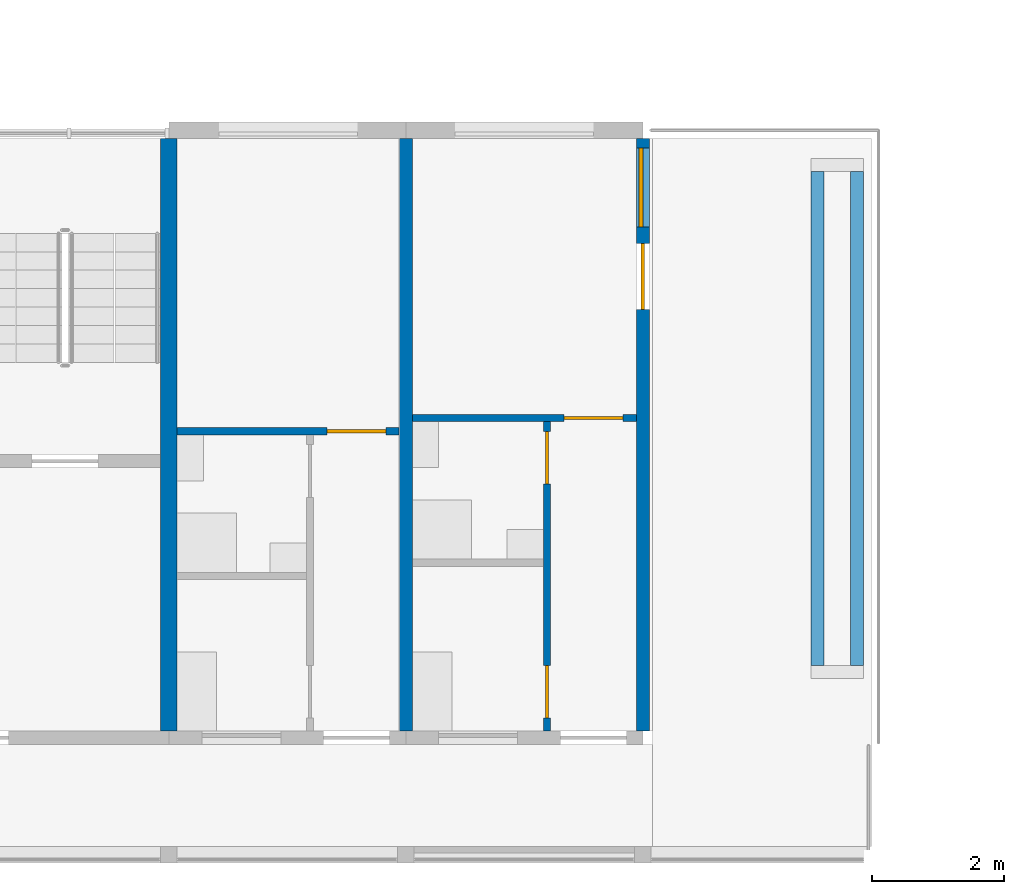
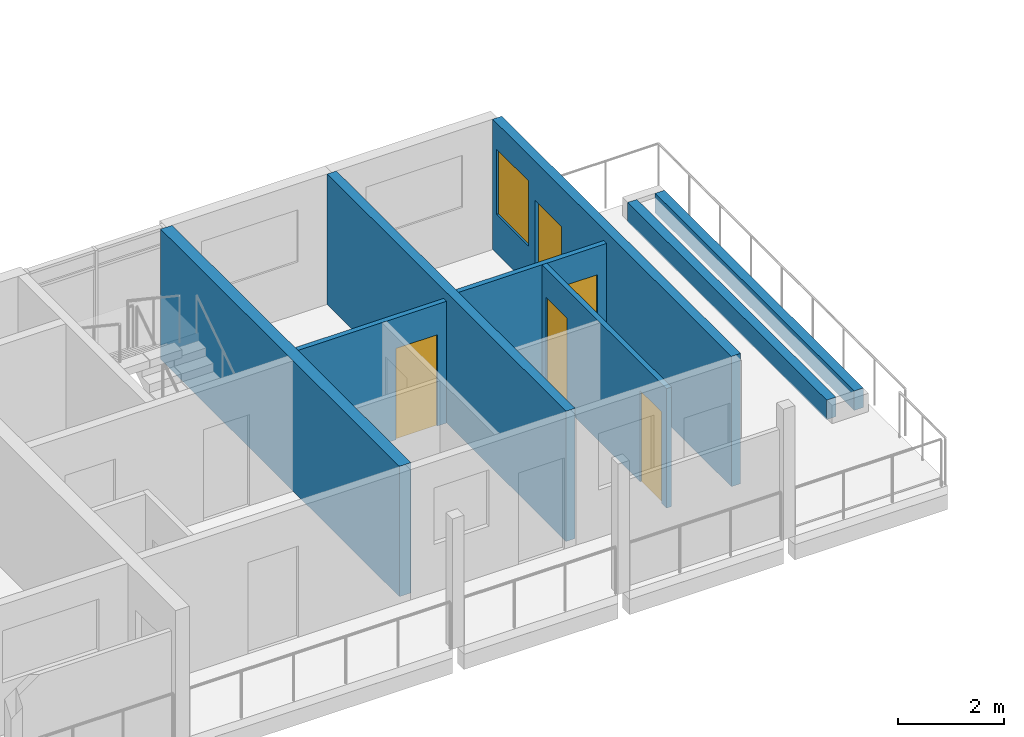
# One storey, part 42 of 93: 8 walls, 5 doors, 1 window, 6 openings.
"""IFC4 building model written with IfcOpenShell, lengths in metres."""

from ifc_helpers import new_model, si_unit, direction, frame, frame_2d, origin, place, context, subcontext, project, spatial, rectangle, extrude, material, layer, layer_set, type_object, element, fill, save


model = new_model("IFC4")

# Units and contexts
model_context = context("Model", 3, precision=1e-05, world=origin(), true_north=direction((0.0, 1.0)))
body_context = subcontext(model_context, "Body", "Model", "MODEL_VIEW")
ifc_project = project(units=[si_unit("LENGTHUNIT", "METRE"), si_unit("AREAUNIT", "SQUARE_METRE"), si_unit("VOLUMEUNIT", "CUBIC_METRE"), si_unit("PLANEANGLEUNIT", "RADIAN"), si_unit("MASSUNIT", "GRAM", prefix="KILO")], contexts=[model_context])

# Site, building, storey
site_placement = place(None, origin())
site = spatial("IfcSite", under=ifc_project, at=site_placement, CompositionType="ELEMENT")
building_placement = place(site_placement, origin())
building = spatial("IfcBuilding", under=site, at=building_placement, Name="Ridgestep Commons", CompositionType="ELEMENT")
storey_placement = place(building_placement, frame((0.0, 0.0, 18.0)))
storey = spatial("IfcBuildingStorey", under=building, at=storey_placement, Name="L06", CompositionType="ELEMENT", Elevation=18.0)

# Walls
ifc_material_1 = material(Name="Concrete C30/37", Category="concrete")
ifc_layer_1 = layer(ifc_material_1, 0.25)
ifc_layer_set_1 = layer_set([ifc_layer_1], Name="Core cross wall 250")
wall_type_1 = type_object("IfcWallType", Name="Core cross wall 250", PredefinedType="SHEAR", material=ifc_layer_set_1)
wall_1_placement = place(storey_placement, frame((102.0, 68.0, 0.0), z_axis=(0.0, 0.0, 1.0), x_axis=(0.0, 1.0, 0.0)))
element("IfcWall", 1, at=wall_1_placement, inside=storey, type_object=wall_type_1, Name="Cross wall B-06-1020", PredefinedType="SHEAR", context=body_context, shape_type="SweptSolid", body=[
    extrude(rectangle(XDim=9.0, YDim=0.25, at=frame_2d((4.5, 0.0))), origin(), (0.0, 0.0, 1.0), 3.0),
])
ifc_material_2 = material(Name="Precast concrete C40/50", Category="concrete")
ifc_layer_2 = layer(ifc_material_2, 0.199951171875)
ifc_layer_set_2 = layer_set([ifc_layer_2], Name="Cross wall 200")
wall_type_2 = type_object("IfcWallType", Name="Cross wall 200", PredefinedType="SHEAR", material=ifc_layer_set_2)
wall_2_placement = place(storey_placement, frame((105.60009765625, 68.0, 0.0), z_axis=(0.0, 0.0, 1.0), x_axis=(0.0, 1.0, 0.0)))
element("IfcWall", 2, at=wall_2_placement, inside=storey, type_object=wall_type_2, Name="Cross wall B-06-1056", PredefinedType="SHEAR", context=body_context, shape_type="SweptSolid", body=[
    extrude(rectangle(XDim=9.0, YDim=0.199951171875, at=frame_2d((4.5, 0.0))), origin(), (0.0, 0.0, 1.0), 3.0),
])

# Wall, openings, window, door
ifc_material_3 = material(Name="Precast concrete C40/50", Category="concrete")
ifc_layer_3 = layer(ifc_material_3, 0.199951171875)
ifc_layer_set_3 = layer_set([ifc_layer_3], Name="Exposed cross wall 200")
wall_type_3 = type_object("IfcWallType", Name="Exposed cross wall 200", PredefinedType="SHEAR", material=ifc_layer_set_3)
wall_3_placement = place(storey_placement, frame((109.199951171875, 68.0, 0.0), z_axis=(0.0, 0.0, 1.0), x_axis=(0.0, 1.0, 0.0)))
wall_3 = element("IfcWall", 3, at=wall_3_placement, inside=storey, type_object=wall_type_3, Name="Cross wall B-06-1092", PredefinedType="SHEAR", context=body_context, shape_type="SweptSolid", body=[
    extrude(rectangle(XDim=9.0, YDim=0.199951171875, at=frame_2d((4.5, 0.0))), origin(), (0.0, 0.0, 1.0), 3.0),
])
opening_1_placement = place(wall_3_placement, frame((7.652587890625, 0.0, 0.89990234375)))
opening_1 = element("IfcOpeningElement", 4, at=opening_1_placement, cuts=wall_3, Name="Opening W10", PredefinedType="OPENING", context=body_context, shape_type="SweptSolid", body=[
    extrude(rectangle(XDim=1.199951171875, YDim=1.5, at=frame_2d((0.60009765625, 0.75))), frame((0.0, 0.10986328125, 0.0), z_axis=(0.0, -1.0, 0.0), x_axis=(1.0, 0.0, 0.0)), (0.0, 0.0, 1.0), 0.219970703125),
])
opening_2_placement = place(wall_3_placement, frame((6.405029296875, 0.0, 0.0)))
opening_2 = element("IfcOpeningElement", 5, at=opening_2_placement, cuts=wall_3, Name="Opening B6-06a/5", PredefinedType="OPENING", context=body_context, shape_type="SweptSolid", body=[
    extrude(rectangle(XDim=1.0, YDim=2.10009765625, at=frame_2d((0.5, 1.050048828125))), frame((0.0, 0.10986328125, 0.0), z_axis=(0.0, -1.0, 0.0), x_axis=(1.0, 0.0, 0.0)), (0.0, 0.0, 1.0), 0.219970703125),
])
ifc_material_4 = material(Name="Aluminium 6063-T6 and glass", Category="aluminium")
window_type = type_object("IfcWindowType", Name="Flat window 1200 x 1500", PartitioningType="SINGLE_PANEL", PredefinedType="WINDOW", material=ifc_material_4)
window_placement = place(opening_1_placement, origin())
window = element("IfcWindow", 6, at=window_placement, inside=storey, type_object=window_type, Name="Window B6-06a 3", OverallHeight=1.5, OverallWidth=1.199951171875, PartitioningType="SINGLE_PANEL", PredefinedType="WINDOW", context=body_context, shape_type="SweptSolid", body=[
    extrude(rectangle(XDim=1.199951171875, YDim=1.5, at=frame_2d((0.60009765625, 0.75))), frame((0.0, 0.06005859375, 0.0), z_axis=(0.0, -1.0, 0.0), x_axis=(1.0, 0.0, 0.0)), (0.0, 0.0, 1.0), 0.06005859375),
])
fill(opening_1, window)
ifc_material_5 = material(Name="Aluminium and glass", Category="aluminium")
door_type_1 = type_object("IfcDoorType", Name="Terrace door 1000 x 2100", OperationType="NOTDEFINED", PredefinedType="DOOR", material=ifc_material_5)
door_1_placement = place(opening_2_placement, origin())
door_1 = element("IfcDoor", 7, at=door_1_placement, inside=storey, type_object=door_type_1, Name="Terrace door B6-06a/5", OperationType="SINGLE_SWING_LEFT", OverallHeight=2.10009765625, OverallWidth=1.0, PredefinedType="DOOR", context=body_context, shape_type="SweptSolid", body=[
    extrude(rectangle(XDim=1.0, YDim=2.10009765625, at=frame_2d((0.5, 1.050048828125))), frame((0.0, 0.02490234375, 0.0), z_axis=(0.0, -1.0, 0.0), x_axis=(1.0, 0.0, 0.0)), (0.0, 0.0, 1.0), 0.050048828125),
])
fill(opening_2, door_1)

# Wall, openings, doors
ifc_material_6 = material(Name="Common brick 110 mm", Category="masonry")
ifc_layer_4 = layer(ifc_material_6, 0.110107421875)
ifc_layer_set_4 = layer_set([ifc_layer_4], Name="Partition 110")
wall_type_4 = type_object("IfcWallType", Name="Partition 110", PredefinedType="PARTITIONING", material=ifc_layer_set_4)
wall_4_placement = place(storey_placement, frame((107.7451171875, 68.0, 0.0), z_axis=(0.0, 0.0, 1.0), x_axis=(0.0, 1.0, 0.0)))
wall_4 = element("IfcWall", 8, at=wall_4_placement, inside=storey, type_object=wall_type_4, Name="Partition B6-06a", PredefinedType="PARTITIONING", context=body_context, shape_type="SweptSolid", body=[
    extrude(rectangle(XDim=4.699951171875, YDim=0.110107421875, at=frame_2d((2.35009765625, 0.0))), origin(), (0.0, 0.0, 1.0), 2.75),
])
opening_3_placement = place(wall_4_placement, frame((0.199951171875, 0.0, 0.0)))
opening_3 = element("IfcOpeningElement", 9, at=opening_3_placement, cuts=wall_4, Name="Opening B6-06a/2", PredefinedType="OPENING", context=body_context, shape_type="SweptSolid", body=[
    extrude(rectangle(XDim=0.800048828125, YDim=2.10009765625, at=frame_2d((0.39990234375, 1.050048828125))), frame((0.0, 0.06494140625, 0.0), z_axis=(0.0, -1.0, 0.0), x_axis=(1.0, 0.0, 0.0)), (0.0, 0.0, 1.0), 0.130126953125),
])
opening_4_placement = place(wall_4_placement, frame((3.75, 0.0, 0.0)))
opening_4 = element("IfcOpeningElement", 10, at=opening_4_placement, cuts=wall_4, Name="Opening B6-06a/3", PredefinedType="OPENING", context=body_context, shape_type="SweptSolid", body=[
    extrude(rectangle(XDim=0.800048828125, YDim=2.10009765625, at=frame_2d((0.39990234375, 1.050048828125))), frame((0.0, 0.06494140625, 0.0), z_axis=(0.0, -1.0, 0.0), x_axis=(1.0, 0.0, 0.0)), (0.0, 0.0, 1.0), 0.130126953125),
])
ifc_material_7 = material(Name="Timber door leaf", Category="wood")
door_type_2 = type_object("IfcDoorType", Name="Internal door 800 x 2100", OperationType="NOTDEFINED", PredefinedType="DOOR", material=ifc_material_7)
door_2_placement = place(opening_3_placement, origin())
door_2 = element("IfcDoor", 11, at=door_2_placement, inside=storey, type_object=door_type_2, Name="Internal door B6-06a/2", OperationType="SINGLE_SWING_LEFT", OverallHeight=2.10009765625, OverallWidth=0.800048828125, PredefinedType="DOOR", context=body_context, shape_type="SweptSolid", body=[
    extrude(rectangle(XDim=0.800048828125, YDim=2.10009765625, at=frame_2d((0.39990234375, 1.050048828125))), frame((0.0, 0.02490234375, 0.0), z_axis=(0.0, -1.0, 0.0), x_axis=(1.0, 0.0, 0.0)), (0.0, 0.0, 1.0), 0.050048828125),
])
fill(opening_3, door_2)
door_3_placement = place(opening_4_placement, origin())
door_3 = element("IfcDoor", 12, at=door_3_placement, inside=storey, type_object=door_type_2, Name="Internal door B6-06a/3", OperationType="SINGLE_SWING_RIGHT", OverallHeight=2.10009765625, OverallWidth=0.800048828125, PredefinedType="DOOR", context=body_context, shape_type="SweptSolid", body=[
    extrude(rectangle(XDim=0.800048828125, YDim=2.10009765625, at=frame_2d((0.39990234375, 1.050048828125))), frame((0.0, 0.02490234375, 0.0), z_axis=(0.0, -1.0, 0.0), x_axis=(1.0, 0.0, 0.0)), (0.0, 0.0, 1.0), 0.050048828125),
])
fill(opening_4, door_3)

# Wall, opening, door
wall_5_placement = place(storey_placement, frame((105.699951171875, 72.7548828125, 0.0), z_axis=(0.0, 0.0, 1.0), x_axis=(1.0, 0.0, 0.0)))
wall_5 = element("IfcWall", 13, at=wall_5_placement, inside=storey, type_object=wall_type_4, Name="Partition B6-06a", PredefinedType="PARTITIONING", context=body_context, shape_type="SweptSolid", body=[
    extrude(rectangle(XDim=3.400146484375, YDim=0.110107421875, at=frame_2d((1.7001953125, 0.0))), origin(), (0.0, 0.0, 1.0), 2.75),
])
opening_5_placement = place(wall_5_placement, frame((2.300048828125, 0.0, 0.0)))
opening_5 = element("IfcOpeningElement", 14, at=opening_5_placement, cuts=wall_5, Name="Opening B6-06a/4", PredefinedType="OPENING", context=body_context, shape_type="SweptSolid", body=[
    extrude(rectangle(XDim=0.89990234375, YDim=2.10009765625, at=frame_2d((0.449951171875, 1.050048828125))), frame((0.0, 0.06494140625, 0.0), z_axis=(0.0, -1.0, 0.0), x_axis=(1.0, 0.0, 0.0)), (0.0, 0.0, 1.0), 0.130126953125),
])
ifc_material_8 = material(Name="Timber door leaf", Category="wood")
door_type_3 = type_object("IfcDoorType", Name="Internal door 900 x 2100", OperationType="NOTDEFINED", PredefinedType="DOOR", material=ifc_material_8)
door_4_placement = place(opening_5_placement, origin())
door_4 = element("IfcDoor", 15, at=door_4_placement, inside=storey, type_object=door_type_3, Name="Internal door B6-06a/4", OperationType="SINGLE_SWING_RIGHT", OverallHeight=2.10009765625, OverallWidth=0.89990234375, PredefinedType="DOOR", context=body_context, shape_type="SweptSolid", body=[
    extrude(rectangle(XDim=0.89990234375, YDim=2.10009765625, at=frame_2d((0.449951171875, 1.050048828125))), frame((0.0, 0.02490234375, 0.0), z_axis=(0.0, -1.0, 0.0), x_axis=(1.0, 0.0, 0.0)), (0.0, 0.0, 1.0), 0.050048828125),
])
fill(opening_5, door_4)

wall_6_placement = place(storey_placement, frame((102.125, 72.554931640625, 0.0), z_axis=(0.0, 0.0, 1.0), x_axis=(1.0, 0.0, 0.0)))
wall_6 = element("IfcWall", 16, at=wall_6_placement, inside=storey, type_object=wall_type_4, Name="Partition B6-06b", PredefinedType="PARTITIONING", context=body_context, shape_type="SweptSolid", body=[
    extrude(rectangle(XDim=3.375, YDim=0.110107421875, at=frame_2d((1.6875, 0.0))), origin(), (0.0, 0.0, 1.0), 2.800048828125),
])
opening_6_placement = place(wall_6_placement, frame((2.27490234375, 0.0, 0.0)))
opening_6 = element("IfcOpeningElement", 17, at=opening_6_placement, cuts=wall_6, Name="Opening B6-06b/4", PredefinedType="OPENING", context=body_context, shape_type="SweptSolid", body=[
    extrude(rectangle(XDim=0.89990234375, YDim=2.10009765625, at=frame_2d((0.449951171875, 1.050048828125))), frame((0.0, 0.06494140625, 0.0), z_axis=(0.0, -1.0, 0.0), x_axis=(1.0, 0.0, 0.0)), (0.0, 0.0, 1.0), 0.130126953125),
])
door_5_placement = place(opening_6_placement, origin())
door_5 = element("IfcDoor", 18, at=door_5_placement, inside=storey, type_object=door_type_3, Name="Internal door B6-06b/4", OperationType="SINGLE_SWING_LEFT", OverallHeight=2.10009765625, OverallWidth=0.89990234375, PredefinedType="DOOR", context=body_context, shape_type="SweptSolid", body=[
    extrude(rectangle(XDim=0.89990234375, YDim=2.10009765625, at=frame_2d((0.449951171875, 1.050048828125))), frame((0.0, 0.02490234375, 0.0), z_axis=(0.0, -1.0, 0.0), x_axis=(1.0, 0.0, 0.0)), (0.0, 0.0, 1.0), 0.050048828125),
])
fill(opening_6, door_5)

# Walls
ifc_material_9 = material(Name="Facing brick", Category="masonry")
ifc_layer_5 = layer(ifc_material_9, 0.199951171875)
ifc_layer_set_5 = layer_set([ifc_layer_5], Name="Planter wall 200")
wall_type_5 = type_object("IfcWallType", Name="Planter wall 200", PredefinedType="SOLIDWALL", material=ifc_layer_set_5)
for number, where, z_axis, x_axis, name in (
    (19, (111.85009765625, 69.0, 0.010009765625), (0.0, 0.0, 1.0), (0.0, 1.0, 0.0), "Planter wall B6R1W"),
    (20, (112.449951171875, 69.0, 0.010009765625), (0.0, 0.0, 1.0), (0.0, 1.0, 0.0), "Planter wall B6R1E"),
):
    element("IfcWall", number, at=place(storey_placement, frame(where, z_axis=z_axis, x_axis=x_axis)), inside=storey, type_object=wall_type_5, Name=name, PredefinedType="SOLIDWALL", context=body_context, shape_type="SweptSolid", body=[
        extrude(rectangle(XDim=7.5, YDim=0.199951171875, at=frame_2d((3.75, 0.0))), origin(), (0.0, 0.0, 1.0), 0.449951171875),
    ])

save(model, "model.ifc")
